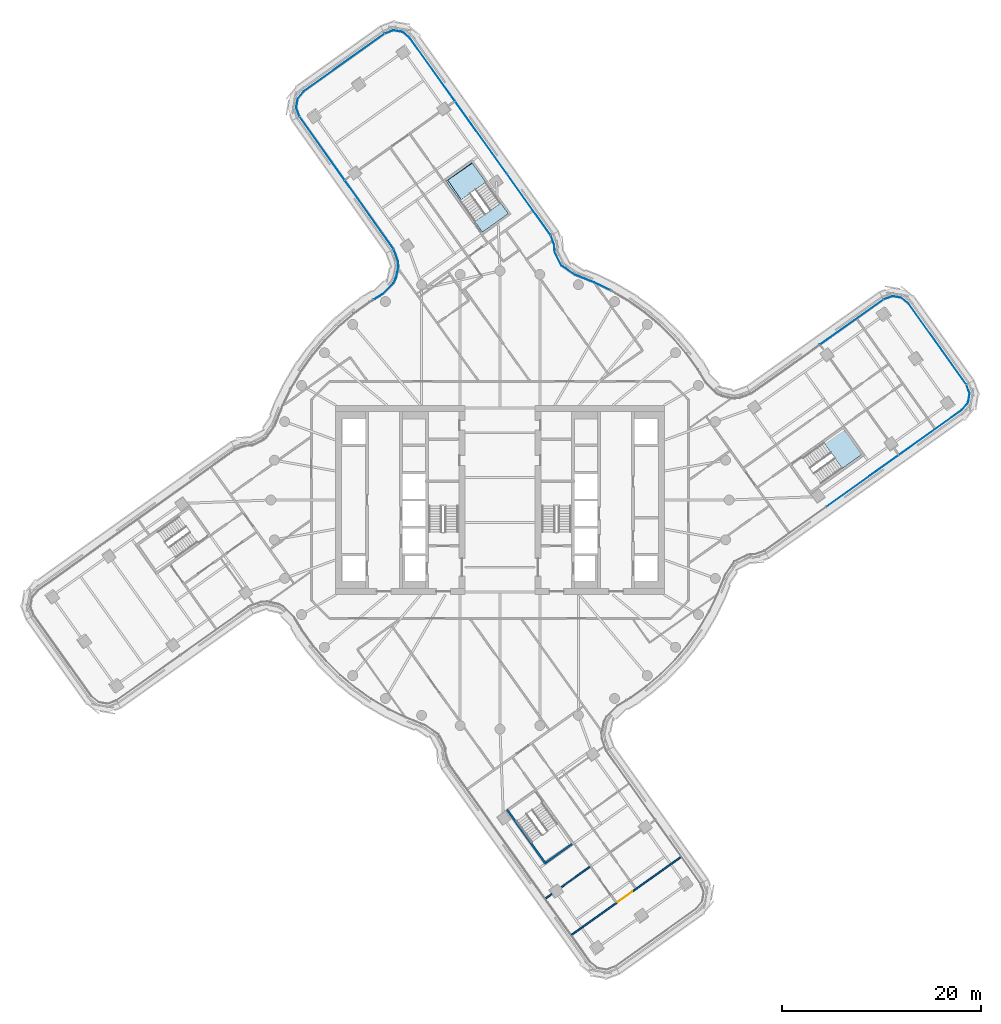
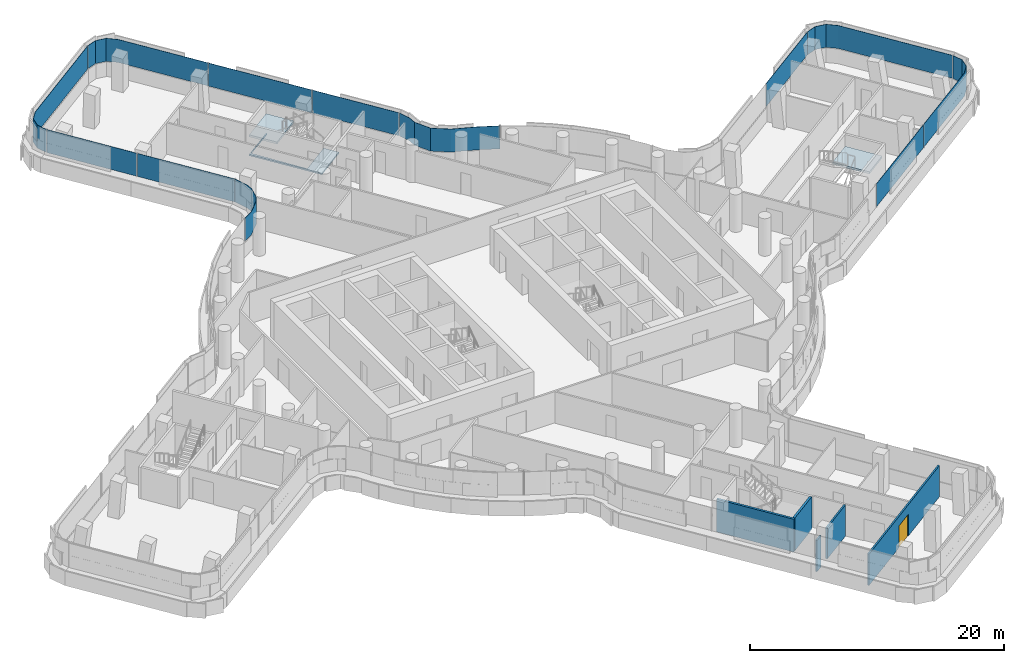
# One storey, part 18 of 31: 12 plates, 5 walls, 3 slabs, 1 door, 1 opening, 10 elements without a shape of their own.
"""IFC4 building model written with IfcOpenShell, lengths in metres."""

from ifc_helpers import new_model, si_unit, direction, frame, frame_2d, origin, place, context, subcontext, project, spatial, polyline, rectangle, outline, extrude, material, layer, layer_set, type_object, element, fill, aggregate, save


model = new_model("IFC4")

# Units and contexts
model_context = context("Model", 3, precision=1e-05, world=origin(), true_north=direction((0.0, 1.0)))
body_context = subcontext(model_context, "Body", "Model", "MODEL_VIEW")
ifc_project = project(units=[si_unit("LENGTHUNIT", "METRE"), si_unit("AREAUNIT", "SQUARE_METRE"), si_unit("VOLUMEUNIT", "CUBIC_METRE"), si_unit("PLANEANGLEUNIT", "RADIAN"), si_unit("MASSUNIT", "GRAM", prefix="KILO")], contexts=[model_context])

# Site, building, storey
site_placement = place(None, origin())
site = spatial("IfcSite", under=ifc_project, at=site_placement, CompositionType="ELEMENT")
building_placement = place(site_placement, origin())
building = spatial("IfcBuilding", under=site, at=building_placement, Name="Tamarind Cross Interchange Tower", CompositionType="ELEMENT")
storey_placement = place(building_placement, frame((0.0, 0.0, 163.0)))
storey = spatial("IfcBuildingStorey", under=building, at=storey_placement, Name="L40", CompositionType="ELEMENT", Elevation=163.0)

# Slab
ifc_material_1 = material(Name="Concrete C35", Category="concrete")
ifc_layer_1 = layer(ifc_material_1, 0.139892578125)
ifc_layer_set_1 = layer_set([ifc_layer_1], Name="Concrete C35")
slab_type_1 = type_object("IfcSlabType", Name="Composite slab 140 Concrete C35", PredefinedType="FLOOR", material=ifc_layer_set_1)
slab_1_placement = place(storey_placement, frame((0.0, 0.0, -0.139892578125)))
element("IfcSlab", 1, at=slab_1_placement, inside=storey, type_object=slab_type_1, Name="Floor slab L40", PredefinedType="FLOOR", context=body_context, shape_type="SweptSolid", body=[
    extrude(outline(polyline([(-1.765625, 26.8828125), (0.838623046875, 28.7421875), (0.12451171875, 29.742431640625), (0.076416015625, 29.81005859375), (-2.43408203125, 28.017578125), (-5.242919921875, 32.107666015625), (-2.774169921875, 33.802734375), (-2.82177734375, 33.86962890625), (-5.42626953125, 32.01025390625), (-1.765625, 26.8828125)])), origin(), (0.0, 0.0, 1.0), 0.139892578125),
])

# Stair, slab
ifc_material_2 = material(Name="Exit stair")
stair_type = type_object("IfcStairType", Name="Exit stair", PredefinedType="HALF_TURN_STAIR", material=ifc_material_2)
stair_1_placement = place(storey_placement, origin())
stair_1 = element("IfcStair", 2, at=stair_1_placement, inside=storey, type_object=stair_type, Name="L40 exit stair ST3", PredefinedType="HALF_TURN_STAIR")
ifc_material_3 = material(Name="Concrete C40", Category="concrete")
ifc_layer_2 = layer(ifc_material_3, 0.199951171875)
ifc_layer_set_2 = layer_set([ifc_layer_2], Name="Concrete C40")
slab_type_2 = type_object("IfcSlabType", Name="Stair landing", PredefinedType="LANDING", material=ifc_layer_set_2)
slab_2_placement = place(storey_placement, frame((0.0, 0.0, 1.675048828125)))
slab_2 = element("IfcSlab", 3, at=slab_2_placement, type_object=slab_type_2, Name="ST3 landing 1", PredefinedType="LANDING", context=body_context, shape_type="SweptSolid", body=[
    extrude(outline(polyline([(34.34814453125, 3.16357421875), (36.311279296875, 4.56494140625), (34.451904296875, 7.16943359375), (32.48876953125, 5.767822265625), (34.34814453125, 3.16357421875)])), origin(), (0.0, 0.0, 1.0), 0.199951171875),
])
aggregate(stair_1, [slab_2])

stair_2_placement = place(storey_placement, origin())
stair_2 = element("IfcStair", 4, at=stair_2_placement, inside=storey, type_object=stair_type, Name="L40 exit stair ST4", PredefinedType="HALF_TURN_STAIR")
slab_3_placement = place(storey_placement, frame((0.0, 0.0, 1.675048828125)))
slab_3 = element("IfcSlab", 5, at=slab_3_placement, type_object=slab_type_2, Name="ST4 landing 1", PredefinedType="LANDING", context=body_context, shape_type="SweptSolid", body=[
    extrude(outline(polyline([(-1.42041015625, 31.906494140625), (-2.82177734375, 33.86962890625), (-5.42626953125, 32.01025390625), (-4.02490234375, 30.047119140625), (-1.42041015625, 31.906494140625)])), origin(), (0.0, 0.0, 1.0), 0.199951171875),
])
aggregate(stair_2, [slab_3])

# Curtain wall, plates
ifc_material_4 = material(Name="Aluminium 6063-T6", Category="aluminium")
ifc_layer_3 = layer(ifc_material_4, 0.159912109375)
ifc_layer_set_3 = layer_set([ifc_layer_3], Name="Aluminium 6063-T6")
curtain_wall_type = type_object("IfcCurtainWallType", Name="Office curtain wall, 9.0 m bays", PredefinedType="NOTDEFINED", material=ifc_layer_set_3)
curtain_wall_1_placement = place(storey_placement, origin())
curtain_wall_1 = element("IfcCurtainWall", 6, at=curtain_wall_1_placement, inside=storey, type_object=curtain_wall_type, Name="CWS-L40-03", PredefinedType="NOTDEFINED")
ifc_material_5 = material(Name="Laminated low-e glass 8+1.52+8", Category="glass")
ifc_layer_4 = layer(ifc_material_5, 0.028076171875)
ifc_layer_set_4 = layer_set([ifc_layer_4], Name="Laminated low-e glass 8+1.52+8")
plate_type = type_object("IfcPlateType", Name="Vision panel CW1", PredefinedType="CURTAIN_PANEL", material=ifc_layer_set_4)
plate_1_placement = place(storey_placement, frame((0.0, 0.0, 1.39990234375)))
plate_1 = element("IfcPlate", 7, at=plate_1_placement, type_object=plate_type, Name="CWP-L40-03-01", PredefinedType="CURTAIN_PANEL", context=body_context, shape_type="SweptSolid", body=[
    extrude(outline(polyline([(32.731201171875, -0.6767578125), (39.9912109375, 4.506103515625), (40.007568359375, 4.4833984375), (32.74755859375, -0.699462890625), (32.731201171875, -0.6767578125)])), origin(), (0.0, 0.0, 1.0), 2.210205078125),
])
plate_2_placement = place(storey_placement, frame((0.0, 0.0, 1.39990234375)))
plate_2 = element("IfcPlate", 8, at=plate_2_placement, type_object=plate_type, Name="CWP-L40-03-02", PredefinedType="CURTAIN_PANEL", context=body_context, shape_type="SweptSolid", body=[
    extrude(outline(polyline([(40.0400390625, 4.541015625), (46.3701171875, 9.06005859375), (46.97412109375, 9.793212890625), (47.12548828125, 10.701171875), (46.802490234375, 11.564453125), (46.82861328125, 11.57421875), (47.154541015625, 10.7041015625), (47.00048828125, 9.78125), (46.389404296875, 9.03955078125), (40.056396484375, 4.518310546875), (40.0400390625, 4.541015625)])), origin(), (0.0, 0.0, 1.0), 2.210205078125),
])
aggregate(curtain_wall_1, [plate_1, plate_2])

# Curtain wall, plate
curtain_wall_2_placement = place(storey_placement, origin())
curtain_wall_2 = element("IfcCurtainWall", 9, at=curtain_wall_2_placement, inside=storey, type_object=curtain_wall_type, Name="CWS-L40-04", PredefinedType="NOTDEFINED")
plate_3_placement = place(storey_placement, frame((0.0, 0.0, 1.39990234375)))
plate_3 = element("IfcPlate", 10, at=plate_3_placement, type_object=plate_type, Name="CWP-L40-04-00", PredefinedType="CURTAIN_PANEL", context=body_context, shape_type="SweptSolid", body=[
    extrude(outline(polyline([(46.7763671875, 11.61376953125), (41.01513671875, 19.68359375), (40.281982421875, 20.28759765625), (39.3740234375, 20.439208984375), (38.510498046875, 20.115966796875), (38.500732421875, 20.14208984375), (39.37109375, 20.468017578125), (40.2939453125, 20.31396484375), (41.03564453125, 19.702880859375), (46.799072265625, 11.6298828125), (46.7763671875, 11.61376953125)])), origin(), (0.0, 0.0, 1.0), 2.210205078125),
])
aggregate(curtain_wall_2, [plate_3])

curtain_wall_3_placement = place(storey_placement, origin())
curtain_wall_3 = element("IfcCurtainWall", 11, at=curtain_wall_3_placement, inside=storey, type_object=curtain_wall_type, Name="CWS-L40-05", PredefinedType="NOTDEFINED")
plate_4_placement = place(storey_placement, frame((0.0, 0.0, 1.39990234375)))
plate_4 = element("IfcPlate", 12, at=plate_4_placement, type_object=plate_type, Name="CWP-L40-05-00", PredefinedType="CURTAIN_PANEL", context=body_context, shape_type="SweptSolid", body=[
    extrude(outline(polyline([(38.461181640625, 20.08984375), (32.129150390625, 15.591064453125), (32.11279296875, 15.614013671875), (38.445068359375, 20.112548828125), (38.461181640625, 20.08984375)])), origin(), (0.0, 0.0, 1.0), 2.210205078125),
])
aggregate(curtain_wall_3, [plate_4])

curtain_wall_4_placement = place(storey_placement, origin())
curtain_wall_4 = element("IfcCurtainWall", 13, at=curtain_wall_4_placement, inside=storey, type_object=curtain_wall_type, Name="CWS-L40-06", PredefinedType="NOTDEFINED")
plate_5_placement = place(storey_placement, frame((0.0, 0.0, 1.39990234375)))
plate_5 = element("IfcPlate", 14, at=plate_5_placement, type_object=plate_type, Name="CWP-L40-06-02", PredefinedType="CURTAIN_PANEL", context=body_context, shape_type="SweptSolid", body=[
    extrude(outline(polyline([(11.04150390625, 21.054443359375), (9.458251953125, 21.820068359375), (7.495849609375, 22.597900390625), (6.171630859375, 23.511474609375), (5.478271484375, 24.84912109375), (5.420166015625, 25.61669921875), (5.083251953125, 26.546142578125), (5.109375, 26.5556640625), (5.44775390625, 25.622802734375), (5.505859375, 24.85693359375), (6.193359375, 23.530517578125), (7.509033203125, 22.622802734375), (9.469482421875, 21.845703125), (11.0537109375, 21.07958984375), (11.04150390625, 21.054443359375)])), origin(), (0.0, 0.0, 1.0), 2.210205078125),
])
aggregate(curtain_wall_4, [plate_5])

# Curtain wall, plates
curtain_wall_5_placement = place(storey_placement, origin())
curtain_wall_5 = element("IfcCurtainWall", 15, at=curtain_wall_5_placement, inside=storey, type_object=curtain_wall_type, Name="CWS-L40-07", PredefinedType="NOTDEFINED")
plate_6_placement = place(storey_placement, frame((0.0, 0.0, 1.39990234375)))
plate_6 = element("IfcPlate", 16, at=plate_6_placement, type_object=plate_type, Name="CWP-L40-07-00", PredefinedType="CURTAIN_PANEL", context=body_context, shape_type="SweptSolid", body=[
    extrude(outline(polyline([(5.05712890625, 26.59521484375), (0.711669921875, 32.682373046875), (0.734375, 32.69873046875), (5.080078125, 26.611572265625), (5.05712890625, 26.59521484375)])), origin(), (0.0, 0.0, 1.0), 2.210205078125),
])
plate_7_placement = place(storey_placement, frame((0.0, 0.0, 1.39990234375)))
plate_7 = element("IfcPlate", 17, at=plate_7_placement, type_object=plate_type, Name="CWP-L40-07-01", PredefinedType="CURTAIN_PANEL", context=body_context, shape_type="SweptSolid", body=[
    extrude(outline(polyline([(0.6767578125, 32.731201171875), (-4.506103515625, 39.9912109375), (-4.4833984375, 40.007568359375), (0.699462890625, 32.74755859375), (0.6767578125, 32.731201171875)])), origin(), (0.0, 0.0, 1.0), 2.210205078125),
])
plate_8_placement = place(storey_placement, frame((0.0, 0.0, 1.39990234375)))
plate_8 = element("IfcPlate", 18, at=plate_8_placement, type_object=plate_type, Name="CWP-L40-07-02", PredefinedType="CURTAIN_PANEL", context=body_context, shape_type="SweptSolid", body=[
    extrude(outline(polyline([(-4.541015625, 40.0400390625), (-9.06005859375, 46.3701171875), (-9.793212890625, 46.97412109375), (-10.701171875, 47.12548828125), (-11.564453125, 46.802490234375), (-11.57421875, 46.82861328125), (-10.7041015625, 47.154541015625), (-9.78125, 47.00048828125), (-9.03955078125, 46.389404296875), (-4.518310546875, 40.056396484375), (-4.541015625, 40.0400390625)])), origin(), (0.0, 0.0, 1.0), 2.210205078125),
])
aggregate(curtain_wall_5, [plate_6, plate_7, plate_8])

# Curtain wall, plate
curtain_wall_6_placement = place(storey_placement, origin())
curtain_wall_6 = element("IfcCurtainWall", 19, at=curtain_wall_6_placement, inside=storey, type_object=curtain_wall_type, Name="CWS-L40-08", PredefinedType="NOTDEFINED")
plate_9_placement = place(storey_placement, frame((0.0, 0.0, 1.39990234375)))
plate_9 = element("IfcPlate", 20, at=plate_9_placement, type_object=plate_type, Name="CWP-L40-08-00", PredefinedType="CURTAIN_PANEL", context=body_context, shape_type="SweptSolid", body=[
    extrude(outline(polyline([(-11.61376953125, 46.7763671875), (-19.68359375, 41.01513671875), (-20.28759765625, 40.281982421875), (-20.439208984375, 39.3740234375), (-20.115966796875, 38.510498046875), (-20.14208984375, 38.500732421875), (-20.468017578125, 39.37109375), (-20.31396484375, 40.2939453125), (-19.702880859375, 41.03564453125), (-11.6298828125, 46.799072265625), (-11.61376953125, 46.7763671875)])), origin(), (0.0, 0.0, 1.0), 2.210205078125),
])
aggregate(curtain_wall_6, [plate_9])

# Curtain wall, plates
curtain_wall_7_placement = place(storey_placement, origin())
curtain_wall_7 = element("IfcCurtainWall", 21, at=curtain_wall_7_placement, inside=storey, type_object=curtain_wall_type, Name="CWS-L40-09", PredefinedType="NOTDEFINED")
plate_10_placement = place(storey_placement, frame((0.0, 0.0, 1.39990234375)))
plate_10 = element("IfcPlate", 22, at=plate_10_placement, type_object=plate_type, Name="CWP-L40-09-00", PredefinedType="CURTAIN_PANEL", context=body_context, shape_type="SweptSolid", body=[
    extrude(outline(polyline([(-20.08984375, 38.461181640625), (-15.591064453125, 32.129150390625), (-15.614013671875, 32.11279296875), (-20.112548828125, 38.445068359375), (-20.08984375, 38.461181640625)])), origin(), (0.0, 0.0, 1.0), 2.210205078125),
])
plate_11_placement = place(storey_placement, frame((0.0, 0.0, 1.39990234375)))
plate_11 = element("IfcPlate", 23, at=plate_11_placement, type_object=plate_type, Name="CWP-L40-09-01", PredefinedType="CURTAIN_PANEL", context=body_context, shape_type="SweptSolid", body=[
    extrude(outline(polyline([(-15.556396484375, 32.080078125), (-10.669677734375, 25.20166015625), (-10.692626953125, 25.185546875), (-15.5791015625, 32.06396484375), (-15.556396484375, 32.080078125)])), origin(), (0.0, 0.0, 1.0), 2.210205078125),
])
aggregate(curtain_wall_7, [plate_10, plate_11])

# Curtain wall, plate
curtain_wall_8_placement = place(storey_placement, origin())
curtain_wall_8 = element("IfcCurtainWall", 24, at=curtain_wall_8_placement, inside=storey, type_object=curtain_wall_type, Name="CWS-L40-10", PredefinedType="NOTDEFINED")
plate_12_placement = place(storey_placement, frame((0.0, 0.0, 1.39990234375)))
plate_12 = element("IfcPlate", 25, at=plate_12_placement, type_object=plate_type, Name="CWP-L40-10-00", PredefinedType="CURTAIN_PANEL", context=body_context, shape_type="SweptSolid", body=[
    extrude(outline(polyline([(-10.640380859375, 25.145751953125), (-10.22021484375, 23.974365234375), (-10.179443359375, 23.382568359375), (-10.412841796875, 22.26953125), (-10.689208984375, 21.74169921875), (-11.78076171875, 20.64501953125), (-12.681884765625, 20.101318359375), (-12.6962890625, 20.125244140625), (-11.798095703125, 20.667236328125), (-10.7119140625, 21.758544921875), (-10.439453125, 22.279052734375), (-10.20751953125, 23.384521484375), (-10.247802734375, 23.968505859375), (-10.666748046875, 25.13623046875), (-10.640380859375, 25.145751953125)])), origin(), (0.0, 0.0, 1.0), 2.210205078125),
])
aggregate(curtain_wall_8, [plate_12])

# Walls
ifc_material_6 = material(Name="Gypsum board partition on steel studs", Category="steel")
ifc_layer_5 = layer(ifc_material_6, 0.14990234375)
ifc_layer_set_5 = layer_set([ifc_layer_5], Name="Gypsum board partition on steel studs")
wall_type_1 = type_object("IfcWallType", Name="Partition 150 mm EI 120", PredefinedType="PARTITIONING", material=ifc_layer_set_5)
wall_1_placement = place(storey_placement, frame((4.599609375, -39.972412109375, 0.0), z_axis=(0.0, 0.0, 1.0), x_axis=(0.813887052757, 0.581023119466, 0.0)))
element("IfcWall", 26, at=wall_1_placement, inside=storey, type_object=wall_type_1, Name="Partition L40-059", PredefinedType="PARTITIONING", context=body_context, shape_type="SweptSolid", body=[
    extrude(rectangle(XDim=0.751708984375, YDim=0.14990234375, at=frame_2d((0.3759765625, 0.0))), origin(), (0.0, 0.0, 1.0), 3.010009765625),
])
wall_2_placement = place(storey_placement, frame((6.18359375, -38.84130859375, 0.0), z_axis=(0.0, 0.0, 1.0), x_axis=(0.813875949, 0.581038673101, 0.0)))
element("IfcWall", 27, at=wall_2_placement, inside=storey, type_object=wall_type_1, Name="Partition L40-060", PredefinedType="PARTITIONING", context=body_context, shape_type="SweptSolid", body=[
    extrude(rectangle(XDim=3.472900390625, YDim=0.14990234375, at=frame_2d((1.736328125, 0.0))), origin(), (0.0, 0.0, 1.0), 3.010009765625),
])

# Wall, opening, door
wall_3_placement = place(storey_placement, frame((7.214599609375, -43.635498046875, 0.0), z_axis=(0.0, 0.0, 1.0), x_axis=(0.813851582739, 0.581072802042, 0.0)))
wall_3 = element("IfcWall", 28, at=wall_3_placement, inside=storey, type_object=wall_type_1, Name="Partition L40-065", PredefinedType="PARTITIONING", context=body_context, shape_type="SweptSolid", body=[
    extrude(rectangle(XDim=13.406005859375, YDim=0.14990234375, at=frame_2d((6.703125, 0.0))), origin(), (0.0, 0.0, 1.0), 3.010009765625),
])
opening_placement = place(wall_3_placement, frame((5.64892578125, 0.0, 0.0)))
opening = element("IfcOpeningElement", 29, at=opening_placement, cuts=wall_3, Name="Opening D35", PredefinedType="OPENING", context=body_context, shape_type="SweptSolid", body=[
    extrude(rectangle(XDim=1.800048828125, YDim=2.10009765625, at=frame_2d((0.89990234375, 1.050048828125))), frame((0.0, 0.0849609375, 0.0), z_axis=(0.0, -1.0, 0.0), x_axis=(1.0, 0.0, 0.0)), (0.0, 0.0, 1.0), 0.169921875),
])
ifc_material_7 = material(Name="Fire-resisting door set")
door_type = type_object("IfcDoorType", Name="Interior door 1800 x 2100 FD60S", OperationType="DOUBLE_DOOR_SINGLE_SWING", PredefinedType="DOOR", material=ifc_material_7)
door_placement = place(opening_placement, frame((1.800048828125, 0.0, 0.0), z_axis=(0.0, 0.0, 1.0), x_axis=(-1.0, 0.0, 0.0)))
door = element("IfcDoor", 30, at=door_placement, inside=storey, type_object=door_type, Name="Door D35", OperationType="DOUBLE_DOOR_SINGLE_SWING", OverallHeight=2.10009765625, OverallWidth=1.800048828125, PredefinedType="DOOR", context=body_context, shape_type="SweptSolid", body=[
    extrude(rectangle(XDim=1.800048828125, YDim=2.10009765625, at=frame_2d((0.89990234375, 1.050048828125))), frame((0.0, 0.02490234375, 0.0), z_axis=(0.0, -1.0, 0.0), x_axis=(1.0, 0.0, 0.0)), (0.0, 0.0, 1.0), 0.050048828125),
])
fill(opening, door)

# Walls
ifc_layer_6 = layer(ifc_material_3, 0.199951171875)
ifc_layer_set_6 = layer_set([ifc_layer_6], Name="Concrete C40")
wall_type_2 = type_object("IfcWallType", Name="Stair shaft wall 200 mm Concrete C40", PredefinedType="SHEAR", material=ifc_layer_set_6)
wall_4_placement = place(storey_placement, frame((0.706787109375, -31.0791015625, -0.139892578125), z_axis=(0.0, 0.0, 1.0), x_axis=(0.581031354906, -0.813881173523, 0.0)))
element("IfcWall", 31, at=wall_4_placement, inside=storey, type_object=wall_type_2, Name="Core wall CWL-L40-ST6-C", PredefinedType="SHEAR", context=body_context, shape_type="SweptSolid", body=[
    extrude(rectangle(XDim=6.699951171875, YDim=0.199951171875, at=frame_2d((3.35009765625, 0.0))), origin(), (0.0, 0.0, 1.0), 3.14990234375),
])
wall_5_placement = place(storey_placement, frame((0.0, 0.0, -0.139892578125)))
element("IfcWall", 32, at=wall_5_placement, inside=storey, type_object=wall_type_2, Name="Core wall CWL-L40-ST6-CF", PredefinedType="SHEAR", context=body_context, shape_type="SweptSolid", body=[
    extrude(outline(polyline([(4.56494140625, -36.311279296875), (4.68115234375, -36.47412109375), (7.285400390625, -34.61474609375), (7.169189453125, -34.451904296875), (4.56494140625, -36.311279296875)])), origin(), (0.0, 0.0, 1.0), 3.14990234375),
])

save(model, "model.ifc")
